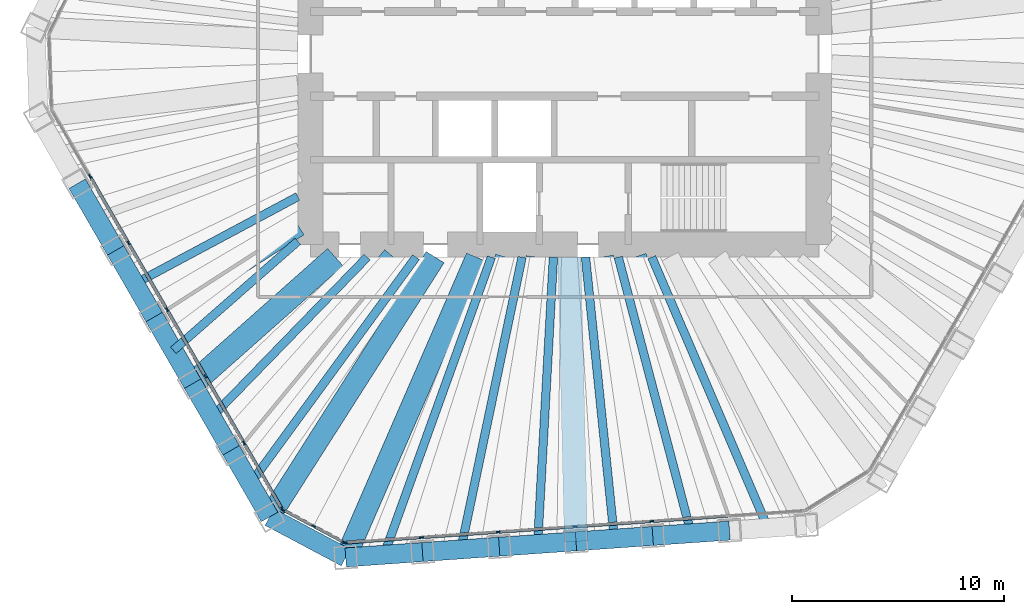
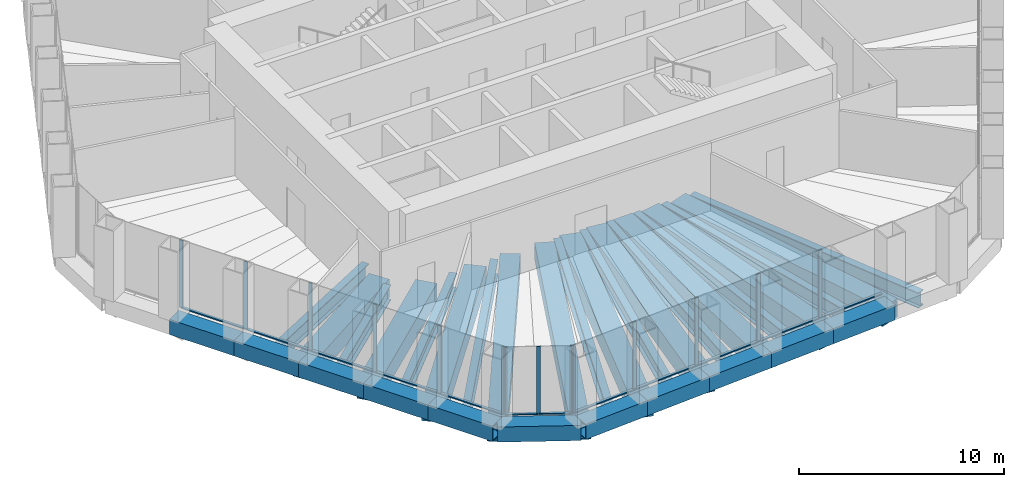
# One storey, part 2 of 12: 31 beams, 26 members, 3 elements without a shape of their own.
"""IFC4 building model written with IfcOpenShell, lengths in metres."""

from ifc_helpers import new_model, si_unit, direction, frame, origin, origin_2d, place, context, subcontext, project, spatial, rectangle, hollow_rectangle, i_section, extrude, material, material_profile, profile_set, type_object, element, aggregate, save


model = new_model("IFC4")

# Units and contexts
model_context = context("Model", 3, precision=1e-05, world=origin(), true_north=direction((0.0, 1.0)))
body_context = subcontext(model_context, "Body", "Model", "MODEL_VIEW")
ifc_project = project(units=[si_unit("LENGTHUNIT", "METRE"), si_unit("AREAUNIT", "SQUARE_METRE"), si_unit("VOLUMEUNIT", "CUBIC_METRE"), si_unit("PLANEANGLEUNIT", "RADIAN"), si_unit("MASSUNIT", "GRAM", prefix="KILO")], contexts=[model_context])

# Site, building, storey
site_placement = place(None, origin())
site = spatial("IfcSite", under=ifc_project, at=site_placement, CompositionType="ELEMENT")
building_placement = place(site_placement, origin())
building = spatial("IfcBuilding", under=site, at=building_placement, Name="Qingtian Harvest Tower", CompositionType="ELEMENT")
storey_placement = place(building_placement, frame((0.0, 0.0, 184.60009765625)))
storey = spatial("IfcBuildingStorey", under=building, at=storey_placement, Name="L39", CompositionType="ELEMENT", Elevation=184.60009765625)

# Beams
ifc_material_1 = material(Name="Steel SN490B", Category="steel")
ifc_material_profile_1 = material_profile(ifc_material_1, i_section(OverallWidth=0.39990234375, OverallDepth=0.89990234375, WebThickness=0.01904296875, FlangeThickness=0.035888671875, at=origin_2d()), Name="H900x400x19x36")
ifc_profile_set_1 = profile_set([ifc_material_profile_1], Name="Steel SN490B")
beam_type_1 = type_object("IfcBeamType", Name="Floor joist J4 H900x400x19x36", PredefinedType="JOIST", material=ifc_profile_set_1)
beam_1_placement = place(storey_placement, frame((9.597412109375, -22.385009765625, -0.6201171875), z_axis=(-0.394052741766, 0.919087828614, 0.0), x_axis=(-0.919087828614, -0.394052741766, 0.0)))
element("IfcBeam", 1, at=beam_1_placement, inside=storey, type_object=beam_type_1, Name="Floor joist J4 S0", PredefinedType="JOIST", context=body_context, shape_type="SweptSolid", body=[
    extrude(i_section(OverallWidth=0.39990234375, OverallDepth=0.89990234375, WebThickness=0.01904296875, FlangeThickness=0.035888671875, at=origin_2d()), origin(), (0.0, 0.0, 1.0), 13.910400390625),
])
beam_2_placement = place(storey_placement, frame((5.97265625, -22.638427734375, -0.6201171875), z_axis=(-0.255103716232, 0.9669136952, 0.0), x_axis=(-0.9669136952, -0.255103716232, 0.0)))
element("IfcBeam", 2, at=beam_2_placement, inside=storey, type_object=beam_type_1, Name="Floor joist J4 S1", PredefinedType="JOIST", context=body_context, shape_type="SweptSolid", body=[
    extrude(i_section(OverallWidth=0.39990234375, OverallDepth=0.89990234375, WebThickness=0.01904296875, FlangeThickness=0.035888671875, at=origin_2d()), origin(), (0.0, 0.0, 1.0), 13.484375),
])
beam_3_placement = place(storey_placement, frame((2.347900390625, -22.89208984375, -0.6201171875), z_axis=(-0.102028865499, 0.994781438611, 0.0), x_axis=(-0.994781438611, -0.102028865499, 0.0)))
element("IfcBeam", 3, at=beam_3_placement, inside=storey, type_object=beam_type_1, Name="Floor joist J4 S2", PredefinedType="JOIST", context=body_context, shape_type="SweptSolid", body=[
    extrude(i_section(OverallWidth=0.39990234375, OverallDepth=0.89990234375, WebThickness=0.01904296875, FlangeThickness=0.035888671875, at=origin_2d()), origin(), (0.0, 0.0, 1.0), 13.36181640625),
])
beam_4_placement = place(storey_placement, frame((-1.276611328125, -23.1455078125, -0.6201171875), z_axis=(0.055069329716, 0.998482533109, 0.0), x_axis=(-0.998482533109, 0.055069329716, 0.0)))
element("IfcBeam", 4, at=beam_4_placement, inside=storey, type_object=beam_type_1, Name="Floor joist J4 S3", PredefinedType="JOIST", context=body_context, shape_type="SweptSolid", body=[
    extrude(i_section(OverallWidth=0.39990234375, OverallDepth=0.89990234375, WebThickness=0.01904296875, FlangeThickness=0.035888671875, at=origin_2d()), origin(), (0.0, 0.0, 1.0), 13.56591796875),
])
beam_5_placement = place(storey_placement, frame((-4.9013671875, -23.39892578125, -0.6201171875), z_axis=(0.205016322093, 0.978758554331, 0.0), x_axis=(-0.978758554331, 0.205016322093, 0.0)))
element("IfcBeam", 5, at=beam_5_placement, inside=storey, type_object=beam_type_1, Name="Floor joist J4 S4", PredefinedType="JOIST", context=body_context, shape_type="SweptSolid", body=[
    extrude(i_section(OverallWidth=0.39990234375, OverallDepth=0.89990234375, WebThickness=0.01904296875, FlangeThickness=0.035888671875, at=origin_2d()), origin(), (0.0, 0.0, 1.0), 14.098388671875),
])
beam_6_placement = place(storey_placement, frame((-8.526123046875, -23.65234375, -0.6201171875), z_axis=(0.339126305921, 0.940740850943, 0.0), x_axis=(-0.940740850943, 0.339126305921, 0.0)))
element("IfcBeam", 6, at=beam_6_placement, inside=storey, type_object=beam_type_1, Name="Floor joist J4 S5", PredefinedType="JOIST", context=body_context, shape_type="SweptSolid", body=[
    extrude(i_section(OverallWidth=0.39990234375, OverallDepth=0.89990234375, WebThickness=0.01904296875, FlangeThickness=0.035888671875, at=origin_2d()), origin(), (0.0, 0.0, 1.0), 14.9375),
])
beam_7_placement = place(storey_placement, frame((-14.841064453125, -20.294677734375, -0.6201171875), z_axis=(0.590288677526, 0.807192218238, 0.0), x_axis=(-0.807192218238, 0.590288677526, 0.0)))
element("IfcBeam", 7, at=beam_7_placement, inside=storey, type_object=beam_type_1, Name="Floor joist J4 SW0", PredefinedType="JOIST", context=body_context, shape_type="SweptSolid", body=[
    extrude(i_section(OverallWidth=0.39990234375, OverallDepth=0.89990234375, WebThickness=0.01904296875, FlangeThickness=0.035888671875, at=origin_2d()), origin(), (0.0, 0.0, 1.0), 13.2490234375),
])
beam_8_placement = place(storey_placement, frame((-16.65771484375, -17.14794921875, -0.6201171875), z_axis=(0.696777499009, 0.717287332158, 0.0), x_axis=(-0.717287332158, 0.696777499009, 0.0)))
element("IfcBeam", 8, at=beam_8_placement, inside=storey, type_object=beam_type_1, Name="Floor joist J4 SW1", PredefinedType="JOIST", context=body_context, shape_type="SweptSolid", body=[
    extrude(i_section(OverallWidth=0.39990234375, OverallDepth=0.89990234375, WebThickness=0.01904296875, FlangeThickness=0.035888671875, at=origin_2d()), origin(), (0.0, 0.0, 1.0), 10.522705078125),
])
beam_9_placement = place(storey_placement, frame((-18.474609375, -14.001220703125, -0.6201171875), z_axis=(0.751883296969, 0.659296221542, 0.0), x_axis=(-0.659296221542, 0.751883296969, 0.0)))
element("IfcBeam", 9, at=beam_9_placement, inside=storey, type_object=beam_type_1, Name="Floor joist J4 SW2", PredefinedType="JOIST", context=body_context, shape_type="SweptSolid", body=[
    extrude(i_section(OverallWidth=0.39990234375, OverallDepth=0.89990234375, WebThickness=0.01904296875, FlangeThickness=0.035888671875, at=origin_2d()), origin(), (0.0, 0.0, 1.0), 7.81298828125),
])
beam_10_placement = place(storey_placement, frame((-20.291259765625, -10.8544921875, -0.6201171875), z_axis=(0.881766503154, 0.471686160402, 0.0), x_axis=(-0.471686160402, 0.881766503154, 0.0)))
element("IfcBeam", 10, at=beam_10_placement, inside=storey, type_object=beam_type_1, Name="Floor joist J4 SW3", PredefinedType="JOIST", context=body_context, shape_type="SweptSolid", body=[
    extrude(i_section(OverallWidth=0.39990234375, OverallDepth=0.89990234375, WebThickness=0.01904296875, FlangeThickness=0.035888671875, at=origin_2d()), origin(), (0.0, 0.0, 1.0), 8.722412109375),
])

# Curtain wall, members
ifc_material_2 = material(Name="Bronze-anodised aluminium curtain wall", Category="aluminium")
curtain_wall_type = type_object("IfcCurtainWallType", Name="Curtain wall CW4 office", PredefinedType="USERDEFINED", material=ifc_material_2)
curtain_wall_1_placement = place(storey_placement, origin())
curtain_wall_1 = element("IfcCurtainWall", 11, at=curtain_wall_1_placement, inside=storey, type_object=curtain_wall_type, Name="Curtain wall CW4 L39 S0-5", ObjectType="RECESSED CURTAIN WALL", PredefinedType="USERDEFINED")
ifc_material_3 = material(Name="Bronze-anodised aluminium mullion", Category="aluminium")
ifc_material_profile_2 = material_profile(ifc_material_3, rectangle(XDim=0.06494140625, YDim=0.199951171875, at=origin_2d()), Name="AL 65x200")
ifc_profile_set_2 = profile_set([ifc_material_profile_2], Name="Bronze-anodised aluminium mullion")
member_type_1 = type_object("IfcMemberType", Name="Mullion CWM 65x200", PredefinedType="MULLION", material=ifc_profile_set_2)
member_1_placement = place(storey_placement, frame((4.111572265625, -22.06689453125, 0.0), z_axis=(0.0, 0.0, 1.0), x_axis=(0.069756473744, -0.99756405026, 0.0)))
member_1 = element("IfcMember", 12, at=member_1_placement, type_object=member_type_1, Name="CW4 mullion 3", PredefinedType="MULLION", context=body_context, shape_type="SweptSolid", body=[
    extrude(rectangle(XDim=0.06494140625, YDim=0.199951171875, at=origin_2d()), origin(), (0.0, 0.0, 1.0), 4.02978515625),
])
member_2_placement = place(storey_placement, frame((0.48681640625, -22.3203125, 0.0), z_axis=(0.0, 0.0, 1.0), x_axis=(0.069756473744, -0.99756405026, 0.0)))
member_2 = element("IfcMember", 13, at=member_2_placement, type_object=member_type_1, Name="CW4 mullion 4", PredefinedType="MULLION", context=body_context, shape_type="SweptSolid", body=[
    extrude(rectangle(XDim=0.06494140625, YDim=0.199951171875, at=origin_2d()), origin(), (0.0, 0.0, 1.0), 4.02978515625),
])
member_3_placement = place(storey_placement, frame((-3.137939453125, -22.573974609375, 0.0), z_axis=(0.0, 0.0, 1.0), x_axis=(0.069756473744, -0.99756405026, 0.0)))
member_3 = element("IfcMember", 14, at=member_3_placement, type_object=member_type_1, Name="CW4 mullion 5", PredefinedType="MULLION", context=body_context, shape_type="SweptSolid", body=[
    extrude(rectangle(XDim=0.06494140625, YDim=0.199951171875, at=origin_2d()), origin(), (0.0, 0.0, 1.0), 4.02978515625),
])
member_4_placement = place(storey_placement, frame((-6.762451171875, -22.827392578125, 0.0), z_axis=(0.0, 0.0, 1.0), x_axis=(0.069756473744, -0.99756405026, 0.0)))
member_4 = element("IfcMember", 15, at=member_4_placement, type_object=member_type_1, Name="CW4 mullion 6", PredefinedType="MULLION", context=body_context, shape_type="SweptSolid", body=[
    extrude(rectangle(XDim=0.06494140625, YDim=0.199951171875, at=origin_2d()), origin(), (0.0, 0.0, 1.0), 4.02978515625),
])
member_5_placement = place(storey_placement, frame((-10.354736328125, -23.07861328125, 0.0), z_axis=(0.0, 0.0, 1.0), x_axis=(0.069756473744, -0.99756405026, 0.0)))
member_5 = element("IfcMember", 16, at=member_5_placement, type_object=member_type_1, Name="CW4 mullion 7", PredefinedType="MULLION", context=body_context, shape_type="SweptSolid", body=[
    extrude(rectangle(XDim=0.06494140625, YDim=0.199951171875, at=origin_2d()), origin(), (0.0, 0.0, 1.0), 4.02978515625),
])

curtain_wall_2_placement = place(storey_placement, origin())
curtain_wall_2 = element("IfcCurtainWall", 17, at=curtain_wall_2_placement, inside=storey, type_object=curtain_wall_type, Name="Curtain wall CW4 L39 SC", ObjectType="RECESSED CURTAIN WALL", PredefinedType="USERDEFINED")
member_6_placement = place(storey_placement, frame((-10.416015625, -23.0654296875, 0.0), z_axis=(0.0, 0.0, 1.0), x_axis=(-0.469471562786, -0.882947592859, 0.0)))
member_6 = element("IfcMember", 18, at=member_6_placement, type_object=member_type_1, Name="CW4 mullion 1", PredefinedType="MULLION", context=body_context, shape_type="SweptSolid", body=[
    extrude(rectangle(XDim=0.06494140625, YDim=0.199951171875, at=origin_2d()), origin(), (0.0, 0.0, 1.0), 4.02978515625),
])
member_7_placement = place(storey_placement, frame((-11.85693359375, -22.29931640625, 0.0), z_axis=(0.0, 0.0, 1.0), x_axis=(-0.469471562786, -0.882947592859, 0.0)))
member_7 = element("IfcMember", 19, at=member_7_placement, type_object=member_type_1, Name="CW4 mullion 2", PredefinedType="MULLION", context=body_context, shape_type="SweptSolid", body=[
    extrude(rectangle(XDim=0.06494140625, YDim=0.199951171875, at=origin_2d()), origin(), (0.0, 0.0, 1.0), 4.02978515625),
])
member_8_placement = place(storey_placement, frame((-13.297607421875, -21.533203125, 0.0), z_axis=(0.0, 0.0, 1.0), x_axis=(-0.469471562786, -0.882947592859, 0.0)))
member_8 = element("IfcMember", 20, at=member_8_placement, type_object=member_type_1, Name="CW4 mullion 3", PredefinedType="MULLION", context=body_context, shape_type="SweptSolid", body=[
    extrude(rectangle(XDim=0.06494140625, YDim=0.199951171875, at=origin_2d()), origin(), (0.0, 0.0, 1.0), 4.02978515625),
])

curtain_wall_3_placement = place(storey_placement, origin())
curtain_wall_3 = element("IfcCurtainWall", 21, at=curtain_wall_3_placement, inside=storey, type_object=curtain_wall_type, Name="Curtain wall CW4 L39 SW0-5", ObjectType="RECESSED CURTAIN WALL", PredefinedType="USERDEFINED")
member_9_placement = place(storey_placement, frame((-13.342529296875, -21.489990234375, 0.0), z_axis=(0.0, 0.0, 1.0), x_axis=(-0.866025403784, -0.5, 0.0)))
member_9 = element("IfcMember", 22, at=member_9_placement, type_object=member_type_1, Name="CW4 mullion 1", PredefinedType="MULLION", context=body_context, shape_type="SweptSolid", body=[
    extrude(rectangle(XDim=0.06494140625, YDim=0.199951171875, at=origin_2d()), origin(), (0.0, 0.0, 1.0), 4.02978515625),
])
member_10_placement = place(storey_placement, frame((-15.14306640625, -18.371337890625, 0.0), z_axis=(0.0, 0.0, 1.0), x_axis=(-0.866025403784, -0.5, 0.0)))
member_10 = element("IfcMember", 23, at=member_10_placement, type_object=member_type_1, Name="CW4 mullion 2", PredefinedType="MULLION", context=body_context, shape_type="SweptSolid", body=[
    extrude(rectangle(XDim=0.06494140625, YDim=0.199951171875, at=origin_2d()), origin(), (0.0, 0.0, 1.0), 4.02978515625),
])
member_11_placement = place(storey_placement, frame((-16.9599609375, -15.224609375, 0.0), z_axis=(0.0, 0.0, 1.0), x_axis=(-0.866025403784, -0.5, 0.0)))
member_11 = element("IfcMember", 24, at=member_11_placement, type_object=member_type_1, Name="CW4 mullion 3", PredefinedType="MULLION", context=body_context, shape_type="SweptSolid", body=[
    extrude(rectangle(XDim=0.06494140625, YDim=0.199951171875, at=origin_2d()), origin(), (0.0, 0.0, 1.0), 4.02978515625),
])
member_12_placement = place(storey_placement, frame((-18.776611328125, -12.077880859375, 0.0), z_axis=(0.0, 0.0, 1.0), x_axis=(-0.866025403784, -0.5, 0.0)))
member_12 = element("IfcMember", 25, at=member_12_placement, type_object=member_type_1, Name="CW4 mullion 4", PredefinedType="MULLION", context=body_context, shape_type="SweptSolid", body=[
    extrude(rectangle(XDim=0.06494140625, YDim=0.199951171875, at=origin_2d()), origin(), (0.0, 0.0, 1.0), 4.02978515625),
])
member_13_placement = place(storey_placement, frame((-20.593505859375, -8.93115234375, 0.0), z_axis=(0.0, 0.0, 1.0), x_axis=(-0.866025403784, -0.5, 0.0)))
member_13 = element("IfcMember", 26, at=member_13_placement, type_object=member_type_1, Name="CW4 mullion 5", PredefinedType="MULLION", context=body_context, shape_type="SweptSolid", body=[
    extrude(rectangle(XDim=0.06494140625, YDim=0.199951171875, at=origin_2d()), origin(), (0.0, 0.0, 1.0), 4.02978515625),
])
member_14_placement = place(storey_placement, frame((-22.41015625, -5.784423828125, 0.0), z_axis=(0.0, 0.0, 1.0), x_axis=(-0.866025403784, -0.5, 0.0)))
member_14 = element("IfcMember", 27, at=member_14_placement, type_object=member_type_1, Name="CW4 mullion 6", PredefinedType="MULLION", context=body_context, shape_type="SweptSolid", body=[
    extrude(rectangle(XDim=0.06494140625, YDim=0.199951171875, at=origin_2d()), origin(), (0.0, 0.0, 1.0), 4.02978515625),
])

# Beams
ifc_material_4 = material(Name="Steel SM570MC", Category="steel")
ifc_material_profile_3 = material_profile(ifc_material_4, hollow_rectangle(XDim=1.0, YDim=1.0, WallThickness=0.080078125, at=origin_2d()), Name="BOX1000x1000x80")
ifc_profile_set_3 = profile_set([ifc_material_profile_3], Name="Steel SM570MC")
beam_type_2 = type_object("IfcBeamType", Name="Transfer corner beam FB11 BOX1000x1000x80", PredefinedType="BEAM", material=ifc_profile_set_3)
beam_11_placement = place(storey_placement, frame((-10.33837890625, -23.779052734375, -0.670166015625), z_axis=(0.398714563353, 0.917075077063, 0.0), x_axis=(-0.917075077063, 0.398714563353, 0.0)))
element("IfcBeam", 28, at=beam_11_placement, inside=storey, type_object=beam_type_2, Name="Floor beam FB11 S6", PredefinedType="BEAM", context=body_context, shape_type="SweptSolid", body=[
    extrude(hollow_rectangle(XDim=1.0, YDim=1.0, WallThickness=0.080078125, at=origin_2d()), origin(), (0.0, 0.0, 1.0), 15.461181640625),
])
beam_12_placement = place(storey_placement, frame((-13.9326171875, -21.8681640625, -0.670166015625), z_axis=(0.537326103898, 0.8433745657, 0.0), x_axis=(-0.8433745657, 0.537326103898, 0.0)))
element("IfcBeam", 29, at=beam_12_placement, inside=storey, type_object=beam_type_2, Name="Floor beam FB11 SW0", PredefinedType="BEAM", context=body_context, shape_type="SweptSolid", body=[
    extrude(hollow_rectangle(XDim=1.0, YDim=1.0, WallThickness=0.080078125, at=origin_2d()), origin(), (0.0, 0.0, 1.0), 14.54638671875),
])
ifc_material_5 = material(Name="Steel SM570MC", Category="steel")
ifc_material_profile_4 = material_profile(ifc_material_5, hollow_rectangle(XDim=1.10009765625, YDim=1.10009765625, WallThickness=0.10009765625, at=origin_2d()), Name="BOX1100x1100x100")
ifc_profile_set_4 = profile_set([ifc_material_profile_4], Name="Steel SM570MC")
beam_type_3 = type_object("IfcBeamType", Name="Transfer floor beam FB9 BOX1100x1100x100", PredefinedType="BEAM", material=ifc_profile_set_4)
beam_13_placement = place(storey_placement, frame((7.78515625, -22.51171875, -0.72021484375), z_axis=(-0.326844175409, 0.945078242793, 0.0), x_axis=(-0.945078242793, -0.326844175409, 0.0)))
element("IfcBeam", 30, at=beam_13_placement, inside=storey, type_object=beam_type_3, Name="Floor beam FB9 S1", PredefinedType="BEAM", context=body_context, shape_type="SweptSolid", body=[
    extrude(hollow_rectangle(XDim=1.10009765625, YDim=1.10009765625, WallThickness=0.10009765625, at=origin_2d()), origin(), (0.0, 0.0, 1.0), 13.661865234375),
])
beam_14_placement = place(storey_placement, frame((4.160400390625, -22.76513671875, -0.72021484375), z_axis=(-0.179779537209, 0.983706926885, 0.0), x_axis=(-0.983706926885, -0.179779537209, 0.0)))
element("IfcBeam", 31, at=beam_14_placement, inside=storey, type_object=beam_type_3, Name="Floor beam FB9 S2", PredefinedType="BEAM", context=body_context, shape_type="SweptSolid", body=[
    extrude(hollow_rectangle(XDim=1.10009765625, YDim=1.10009765625, WallThickness=0.10009765625, at=origin_2d()), origin(), (0.0, 0.0, 1.0), 13.383056640625),
])
beam_15_placement = place(storey_placement, frame((0.53564453125, -23.018798828125, -0.72021484375), z_axis=(-0.023263902078, 0.999729358807, 0.0), x_axis=(-0.999729358807, -0.023263902078, 0.0)))
element("IfcBeam", 32, at=beam_15_placement, inside=storey, type_object=beam_type_3, Name="Floor beam FB9 S3", PredefinedType="BEAM", context=body_context, shape_type="SweptSolid", body=[
    extrude(hollow_rectangle(XDim=1.10009765625, YDim=1.10009765625, WallThickness=0.10009765625, at=origin_2d()), origin(), (0.0, 0.0, 1.0), 13.42236328125),
])
beam_16_placement = place(storey_placement, frame((-3.089111328125, -23.272216796875, -0.72021484375), z_axis=(0.131593229442, 0.991303799027, 0.0), x_axis=(-0.991303799027, 0.131593229442, 0.0)))
element("IfcBeam", 33, at=beam_16_placement, inside=storey, type_object=beam_type_3, Name="Floor beam FB9 S4", PredefinedType="BEAM", context=body_context, shape_type="SweptSolid", body=[
    extrude(hollow_rectangle(XDim=1.10009765625, YDim=1.10009765625, WallThickness=0.10009765625, at=origin_2d()), origin(), (0.0, 0.0, 1.0), 13.7919921875),
])
beam_17_placement = place(storey_placement, frame((-6.713623046875, -23.525634765625, -0.72021484375), z_axis=(0.274411610503, 0.961612327303, 0.0), x_axis=(-0.961612327303, 0.274411610503, 0.0)))
element("IfcBeam", 34, at=beam_17_placement, inside=storey, type_object=beam_type_3, Name="Floor beam FB9 S5", PredefinedType="BEAM", context=body_context, shape_type="SweptSolid", body=[
    extrude(hollow_rectangle(XDim=1.10009765625, YDim=1.10009765625, WallThickness=0.10009765625, at=origin_2d()), origin(), (0.0, 0.0, 1.0), 14.4814453125),
])
beam_18_placement = place(storey_placement, frame((-15.749267578125, -18.72119140625, -0.72021484375), z_axis=(0.643763532906, 0.765224485821, 0.0), x_axis=(-0.765224485821, 0.643763532906, 0.0)))
element("IfcBeam", 35, at=beam_18_placement, inside=storey, type_object=beam_type_3, Name="Floor beam FB9 SW1", PredefinedType="BEAM", context=body_context, shape_type="SweptSolid", body=[
    extrude(hollow_rectangle(XDim=1.10009765625, YDim=1.10009765625, WallThickness=0.10009765625, at=origin_2d()), origin(), (0.0, 0.0, 1.0), 11.91943359375),
])
beam_19_placement = place(storey_placement, frame((-17.566162109375, -15.574462890625, -0.72021484375), z_axis=(0.748259768664, 0.663405847577, 0.0), x_axis=(-0.663405847577, 0.748259768664, 0.0)))
element("IfcBeam", 36, at=beam_19_placement, inside=storey, type_object=beam_type_3, Name="Floor beam FB9 SW2", PredefinedType="BEAM", context=body_context, shape_type="SweptSolid", body=[
    extrude(hollow_rectangle(XDim=1.10009765625, YDim=1.10009765625, WallThickness=0.10009765625, at=origin_2d()), origin(), (0.0, 0.0, 1.0), 9.005615234375),
])
beam_20_placement = place(storey_placement, frame((-19.3828125, -12.427734375, -0.72021484375), z_axis=(0.841823714388, 0.539752567288, 0.0), x_axis=(-0.539752567288, 0.841823714388, 0.0)))
element("IfcBeam", 37, at=beam_20_placement, inside=storey, type_object=beam_type_3, Name="Floor beam FB9 SW3", PredefinedType="BEAM", context=body_context, shape_type="SweptSolid", body=[
    extrude(hollow_rectangle(XDim=1.10009765625, YDim=1.10009765625, WallThickness=0.10009765625, at=origin_2d()), origin(), (0.0, 0.0, 1.0), 8.05712890625),
])
ifc_material_6 = material(Name="Steel SM570MC", Category="steel")
ifc_material_profile_5 = material_profile(ifc_material_6, hollow_rectangle(XDim=0.89990234375, YDim=0.89990234375, WallThickness=0.050048828125, at=origin_2d()), Name="BOX900x900x50")
ifc_profile_set_5 = profile_set([ifc_material_profile_5], Name="Steel SM570MC")
beam_type_4 = type_object("IfcBeamType", Name="Transition spandrel SB6 BOX900x900x50", PredefinedType="SPANDREL", material=ifc_profile_set_5)
for number, where, z_axis, x_axis, name in (
    (38, (7.78515625, -22.51171875, -0.4501953125), (-0.997565001055, -0.069742875402, 0.0), (0.069742875402, -0.997565001055, 0.0), "Spandrel SB6 S1"),
    (39, (4.160400390625, -22.76513671875, -0.4501953125), (-0.997560324246, -0.069809737785, 0.0), (0.069809737785, -0.997560324246, 0.0), "Spandrel SB6 S2"),
    (40, (0.53564453125, -23.018798828125, -0.4501953125), (-0.997565001055, -0.069742875402, 0.0), (0.069742875402, -0.997565001055, 0.0), "Spandrel SB6 S3"),
):
    element("IfcBeam", number, at=place(storey_placement, frame(where, z_axis=z_axis, x_axis=x_axis)), inside=storey, type_object=beam_type_4, Name=name, PredefinedType="SPANDREL", context=body_context, shape_type="SweptSolid", body=[
        extrude(hollow_rectangle(XDim=0.89990234375, YDim=0.89990234375, WallThickness=0.050048828125, at=origin_2d()), origin(), (0.0, 0.0, 1.0), 3.633544921875),
    ])
beam_21_placement = place(storey_placement, frame((-3.089111328125, -23.272216796875, -0.4501953125), z_axis=(-0.997564674207, -0.069747550305, 0.0), x_axis=(0.069747550305, -0.997564674207, 0.0)))
element("IfcBeam", 41, at=beam_21_placement, inside=storey, type_object=beam_type_4, Name="Spandrel SB6 S4", PredefinedType="SPANDREL", context=body_context, shape_type="SweptSolid", body=[
    extrude(hollow_rectangle(XDim=0.89990234375, YDim=0.89990234375, WallThickness=0.050048828125, at=origin_2d()), origin(), (0.0, 0.0, 1.0), 3.63330078125),
])
beam_22_placement = place(storey_placement, frame((-6.713623046875, -23.525634765625, -0.4501953125), z_axis=(-0.997565001055, -0.069742875402, 0.0), x_axis=(0.069742875402, -0.997565001055, 0.0)))
element("IfcBeam", 42, at=beam_22_placement, inside=storey, type_object=beam_type_4, Name="Spandrel SB6 S5", PredefinedType="SPANDREL", context=body_context, shape_type="SweptSolid", body=[
    extrude(hollow_rectangle(XDim=0.89990234375, YDim=0.89990234375, WallThickness=0.050048828125, at=origin_2d()), origin(), (0.0, 0.0, 1.0), 3.633544921875),
])
beam_23_placement = place(storey_placement, frame((-10.33837890625, -23.779052734375, -0.4501953125), z_axis=(-0.882968133669, 0.469432929101, 0.0), x_axis=(-0.469432929101, -0.882968133669, 0.0)))
element("IfcBeam", 43, at=beam_23_placement, inside=storey, type_object=beam_type_4, Name="Spandrel SB6 SC", PredefinedType="SPANDREL", context=body_context, shape_type="SweptSolid", body=[
    extrude(hollow_rectangle(XDim=0.89990234375, YDim=0.89990234375, WallThickness=0.050048828125, at=origin_2d()), origin(), (0.0, 0.0, 1.0), 4.070556640625),
])
beam_24_placement = place(storey_placement, frame((-13.9326171875, -21.8681640625, -0.4501953125), z_axis=(-0.499947341849, 0.866055803848, 0.0), x_axis=(-0.866055803848, -0.499947341849, 0.0)))
element("IfcBeam", 44, at=beam_24_placement, inside=storey, type_object=beam_type_4, Name="Spandrel SB6 SW0", PredefinedType="SPANDREL", context=body_context, shape_type="SweptSolid", body=[
    extrude(hollow_rectangle(XDim=0.89990234375, YDim=0.89990234375, WallThickness=0.050048828125, at=origin_2d()), origin(), (0.0, 0.0, 1.0), 3.6337890625),
])
for number, where, z_axis, x_axis, name in (
    (45, (-15.749267578125, -18.72119140625, -0.4501953125), (-0.500026827678, 0.866009914263, 0.0), (-0.866009914263, -0.500026827678, 0.0), "Spandrel SB6 SW1"),
    (46, (-17.566162109375, -15.574462890625, -0.4501953125), (-0.499976434558, 0.866039008871, 0.0), (-0.866039008871, -0.499976434558, 0.0), "Spandrel SB6 SW2"),
    (47, (-19.3828125, -12.427734375, -0.4501953125), (-0.500026827678, 0.866009914263, 0.0), (-0.866009914263, -0.500026827678, 0.0), "Spandrel SB6 SW3"),
    (48, (-21.19970703125, -9.281005859375, -0.4501953125), (-0.499976434558, 0.866039008871, 0.0), (-0.866039008871, -0.499976434558, 0.0), "Spandrel SB6 SW4"),
):
    element("IfcBeam", number, at=place(storey_placement, frame(where, z_axis=z_axis, x_axis=x_axis)), inside=storey, type_object=beam_type_4, Name=name, PredefinedType="SPANDREL", context=body_context, shape_type="SweptSolid", body=[
        extrude(hollow_rectangle(XDim=0.89990234375, YDim=0.89990234375, WallThickness=0.050048828125, at=origin_2d()), origin(), (0.0, 0.0, 1.0), 3.633544921875),
    ])

# Member
ifc_material_7 = material(Name="Bronze-anodised aluminium transom", Category="aluminium")
ifc_material_profile_6 = material_profile(ifc_material_7, rectangle(XDim=0.14990234375, YDim=0.06494140625, at=origin_2d()), Name="AL 65x150")
ifc_profile_set_6 = profile_set([ifc_material_profile_6], Name="Bronze-anodised aluminium transom")
member_type_2 = type_object("IfcMemberType", Name="Transom CWT 65x150", PredefinedType="USERDEFINED", material=ifc_profile_set_6)
member_15_placement = place(storey_placement, frame((7.703857421875, -21.815673828125, 0.032470703125), z_axis=(-0.997562159126, -0.069783512949, 0.0), x_axis=(0.069783512949, -0.997562159126, 0.0)))
member_15 = element("IfcMember", 49, at=member_15_placement, type_object=member_type_2, Name="CW4 transom 2.1", ObjectType="TRANSOM", PredefinedType="USERDEFINED", context=body_context, shape_type="SweptSolid", body=[
    extrude(rectangle(XDim=0.14990234375, YDim=0.06494140625, at=origin_2d()), origin(), (0.0, 0.0, 1.0), 3.568603515625),
])

member_16_placement = place(storey_placement, frame((4.0791015625, -22.0693359375, 0.032470703125), z_axis=(-0.99756691944, -0.069715430417, 0.0), x_axis=(0.069715430417, -0.99756691944, 0.0)))
member_16 = element("IfcMember", 50, at=member_16_placement, type_object=member_type_2, Name="CW4 transom 3.1", ObjectType="TRANSOM", PredefinedType="USERDEFINED", context=body_context, shape_type="SweptSolid", body=[
    extrude(rectangle(XDim=0.14990234375, YDim=0.06494140625, at=origin_2d()), origin(), (0.0, 0.0, 1.0), 3.568603515625),
])

member_17_placement = place(storey_placement, frame((0.454345703125, -22.32275390625, 0.032470703125), z_axis=(-0.99756691944, -0.069715430417, 0.0), x_axis=(0.069715430417, -0.99756691944, 0.0)))
member_17 = element("IfcMember", 51, at=member_17_placement, type_object=member_type_2, Name="CW4 transom 4.1", ObjectType="TRANSOM", PredefinedType="USERDEFINED", context=body_context, shape_type="SweptSolid", body=[
    extrude(rectangle(XDim=0.14990234375, YDim=0.06494140625, at=origin_2d()), origin(), (0.0, 0.0, 1.0), 3.568603515625),
])

member_18_placement = place(storey_placement, frame((-3.170166015625, -22.576171875, 0.032470703125), z_axis=(-0.997567251922, -0.069710672727, 0.0), x_axis=(0.069710672727, -0.997567251922, 0.0)))
member_18 = element("IfcMember", 52, at=member_18_placement, type_object=member_type_2, Name="CW4 transom 5.1", ObjectType="TRANSOM", PredefinedType="USERDEFINED", context=body_context, shape_type="SweptSolid", body=[
    extrude(rectangle(XDim=0.14990234375, YDim=0.06494140625, at=origin_2d()), origin(), (0.0, 0.0, 1.0), 3.56884765625),
])

member_19_placement = place(storey_placement, frame((-6.794921875, -22.82958984375, 0.032470703125), z_axis=(-0.997565839557, -0.069730880888, 0.0), x_axis=(0.069730880888, -0.997565839557, 0.0)))
member_19 = element("IfcMember", 53, at=member_19_placement, type_object=member_type_2, Name="CW4 transom 6.1", ObjectType="TRANSOM", PredefinedType="USERDEFINED", context=body_context, shape_type="SweptSolid", body=[
    extrude(rectangle(XDim=0.14990234375, YDim=0.06494140625, at=origin_2d()), origin(), (0.0, 0.0, 1.0), 3.5361328125),
])

aggregate(curtain_wall_1, [member_1, member_2, member_3, member_4, member_5, member_15, member_16, member_17, member_18, member_19])

member_20_placement = place(storey_placement, frame((-10.444580078125, -23.05029296875, 0.032470703125), z_axis=(-0.882960338349, 0.46944759122, 0.0), x_axis=(-0.46944759122, -0.882960338349, 0.0)))
member_20 = element("IfcMember", 54, at=member_20_placement, type_object=member_type_2, Name="CW4 transom 1.1", ObjectType="TRANSOM", PredefinedType="USERDEFINED", context=body_context, shape_type="SweptSolid", body=[
    extrude(rectangle(XDim=0.14990234375, YDim=0.06494140625, at=origin_2d()), origin(), (0.0, 0.0, 1.0), 1.56689453125),
])

member_21_placement = place(storey_placement, frame((-11.885498046875, -22.2841796875, 0.032470703125), z_axis=(-0.882960338349, 0.46944759122, 0.0), x_axis=(-0.46944759122, -0.882960338349, 0.0)))
member_21 = element("IfcMember", 55, at=member_21_placement, type_object=member_type_2, Name="CW4 transom 2.1", ObjectType="TRANSOM", PredefinedType="USERDEFINED", context=body_context, shape_type="SweptSolid", body=[
    extrude(rectangle(XDim=0.14990234375, YDim=0.06494140625, at=origin_2d()), origin(), (0.0, 0.0, 1.0), 1.56689453125),
])

aggregate(curtain_wall_2, [member_6, member_7, member_8, member_20, member_21])

member_22_placement = place(storey_placement, frame((-13.35888671875, -21.461669921875, 0.032470703125), z_axis=(-0.500015305566, 0.866016566931, 0.0), x_axis=(-0.866016566931, -0.500015305566, 0.0)))
member_22 = element("IfcMember", 56, at=member_22_placement, type_object=member_type_2, Name="CW4 transom 1.1", ObjectType="TRANSOM", PredefinedType="USERDEFINED", context=body_context, shape_type="SweptSolid", body=[
    extrude(rectangle(XDim=0.14990234375, YDim=0.06494140625, at=origin_2d()), origin(), (0.0, 0.0, 1.0), 3.5361328125),
])

member_23_placement = place(storey_placement, frame((-15.159423828125, -18.34326171875, 0.032470703125), z_axis=(-0.499965259726, 0.866045460162, 0.0), x_axis=(-0.866045460162, -0.499965259726, 0.0)))
member_23 = element("IfcMember", 57, at=member_23_placement, type_object=member_type_2, Name="CW4 transom 2.1", ObjectType="TRANSOM", PredefinedType="USERDEFINED", context=body_context, shape_type="SweptSolid", body=[
    extrude(rectangle(XDim=0.14990234375, YDim=0.06494140625, at=origin_2d()), origin(), (0.0, 0.0, 1.0), 3.568603515625),
])

member_24_placement = place(storey_placement, frame((-16.97607421875, -15.1962890625, 0.032470703125), z_axis=(-0.500046194516, 0.865998731726, 0.0), x_axis=(-0.865998731726, -0.500046194516, 0.0)))
member_24 = element("IfcMember", 58, at=member_24_placement, type_object=member_type_2, Name="CW4 transom 3.1", ObjectType="TRANSOM", PredefinedType="USERDEFINED", context=body_context, shape_type="SweptSolid", body=[
    extrude(rectangle(XDim=0.14990234375, YDim=0.06494140625, at=origin_2d()), origin(), (0.0, 0.0, 1.0), 3.568603515625),
])

member_25_placement = place(storey_placement, frame((-18.79296875, -12.049560546875, 0.032470703125), z_axis=(-0.499994883695, 0.866028357664, 0.0), x_axis=(-0.866028357664, -0.499994883695, 0.0)))
member_25 = element("IfcMember", 59, at=member_25_placement, type_object=member_type_2, Name="CW4 transom 4.1", ObjectType="TRANSOM", PredefinedType="USERDEFINED", context=body_context, shape_type="SweptSolid", body=[
    extrude(rectangle(XDim=0.14990234375, YDim=0.06494140625, at=origin_2d()), origin(), (0.0, 0.0, 1.0), 3.568359375),
])

member_26_placement = place(storey_placement, frame((-20.609619140625, -8.90283203125, 0.032470703125), z_axis=(-0.500046194516, 0.865998731726, 0.0), x_axis=(-0.865998731726, -0.500046194516, 0.0)))
member_26 = element("IfcMember", 60, at=member_26_placement, type_object=member_type_2, Name="CW4 transom 5.1", ObjectType="TRANSOM", PredefinedType="USERDEFINED", context=body_context, shape_type="SweptSolid", body=[
    extrude(rectangle(XDim=0.14990234375, YDim=0.06494140625, at=origin_2d()), origin(), (0.0, 0.0, 1.0), 3.568603515625),
])

aggregate(curtain_wall_3, [member_9, member_10, member_11, member_12, member_13, member_14, member_22, member_23, member_24, member_25, member_26])

save(model, "model.ifc")
